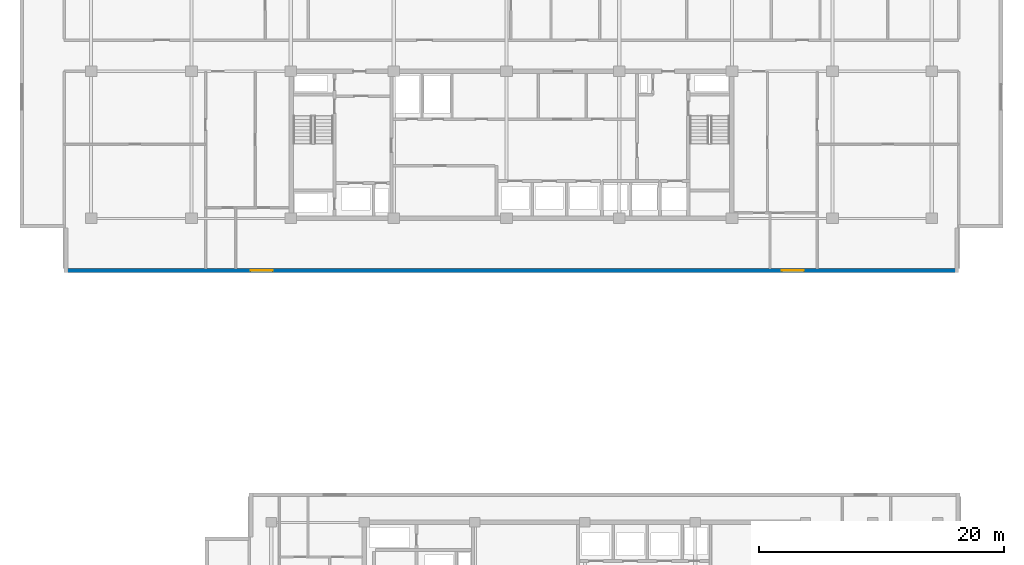
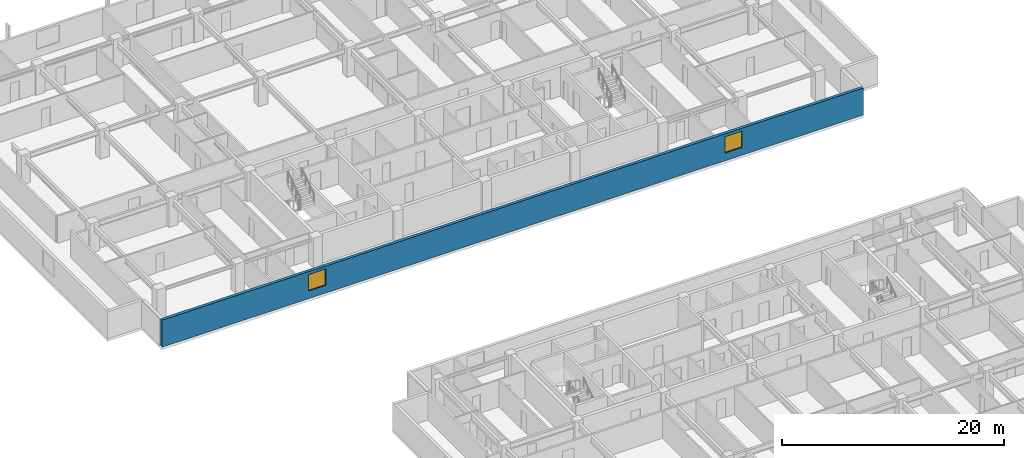
# One storey, part 8 of 21: 2 windows, 1 wall, 2 openings.
"""IFC4 building model written with IfcOpenShell, lengths in metres."""

from ifc_helpers import new_model, si_unit, direction, frame, frame_2d, origin, place, context, subcontext, project, spatial, rectangle, extrude, material, layer, layer_set, type_object, element, fill, save


model = new_model("IFC4")

# Units and contexts
model_context = context("Model", 3, precision=1e-05, world=origin(), true_north=direction((0.0, 1.0)))
body_context = subcontext(model_context, "Body", "Model", "MODEL_VIEW")
ifc_project = project(units=[si_unit("LENGTHUNIT", "METRE"), si_unit("AREAUNIT", "SQUARE_METRE"), si_unit("VOLUMEUNIT", "CUBIC_METRE"), si_unit("PLANEANGLEUNIT", "RADIAN"), si_unit("MASSUNIT", "GRAM", prefix="KILO")], contexts=[model_context])

# Site, building, storey
site_placement = place(None, origin())
site = spatial("IfcSite", under=ifc_project, at=site_placement, CompositionType="ELEMENT")
building_placement = place(site_placement, origin())
building = spatial("IfcBuilding", under=site, at=building_placement, Name="Korimba Cascade Residences", CompositionType="ELEMENT")
storey_placement = place(building_placement, frame((0.0, 0.0, 116.550048828125)))
storey = spatial("IfcBuildingStorey", under=building, at=storey_placement, Name="L33", CompositionType="ELEMENT", Elevation=116.550048828125)

# Wall, openings, windows
ifc_material_1 = material(Name="Precast concrete C40/50", Category="concrete")
ifc_layer = layer(ifc_material_1, 0.300048828125)
ifc_layer_set = layer_set([ifc_layer], Name="Precast concrete C40/50")
wall_type = type_object("IfcWallType", Name="EW-STONE-300", PredefinedType="STANDARD", material=ifc_layer_set)
wall_placement = place(storey_placement, frame((57.60009765625, 50.949951171875, 0.0), z_axis=(0.0, 0.0, 1.0), x_axis=(1.0, 0.0, 0.0)))
wall = element("IfcWall", 1, at=wall_placement, inside=storey, type_object=wall_type, Name="L33 T1 Perimeter Stone Wall E00", PredefinedType="STANDARD", context=body_context, shape_type="SweptSolid", body=[
    extrude(rectangle(XDim=73.0, YDim=0.300048828125, at=frame_2d((36.5, 0.0))), origin(), (0.0, 0.0, 1.0), 2.969970703125),
])
opening_1_placement = place(wall_placement, frame((15.22509765625, 0.0, 0.85009765625)))
opening_1 = element("IfcOpeningElement", 2, at=opening_1_placement, cuts=wall, Name="Opening W-02", PredefinedType="OPENING", context=body_context, shape_type="SweptSolid", body=[
    extrude(rectangle(XDim=1.800048828125, YDim=1.800048828125, at=frame_2d((0.89990234375, 0.89990234375))), frame((0.0, 0.16015625, 0.0), z_axis=(0.0, -1.0, 0.0), x_axis=(1.0, 0.0, 0.0)), (0.0, 0.0, 1.0), 0.320068359375),
])
opening_2_placement = place(wall_placement, frame((58.574951171875, 0.0, 0.85009765625)))
opening_2 = element("IfcOpeningElement", 3, at=opening_2_placement, cuts=wall, Name="Opening W-02", PredefinedType="OPENING", context=body_context, shape_type="SweptSolid", body=[
    extrude(rectangle(XDim=1.800048828125, YDim=1.800048828125, at=frame_2d((0.89990234375, 0.89990234375))), frame((0.0, 0.16015625, 0.0), z_axis=(0.0, -1.0, 0.0), x_axis=(1.0, 0.0, 0.0)), (0.0, 0.0, 1.0), 0.320068359375),
])
ifc_material_2 = material(Name="Double-Glazed Aluminium Window", Category="aluminium")
window_type = type_object("IfcWindowType", Name="WIN-BED-1800", PartitioningType="SINGLE_PANEL", PredefinedType="WINDOW", material=ifc_material_2)
window_1_placement = place(opening_1_placement, origin())
window_1 = element("IfcWindow", 4, at=window_1_placement, inside=storey, type_object=window_type, Name="L33 T1 South Corner Bedroom Window 1", OverallHeight=1.800048828125, OverallWidth=1.800048828125, PartitioningType="SINGLE_PANEL", PredefinedType="WINDOW", context=body_context, shape_type="SweptSolid", body=[
    extrude(rectangle(XDim=1.800048828125, YDim=1.800048828125, at=frame_2d((0.89990234375, 0.89990234375))), frame((0.0, 0.030029296875, 0.0), z_axis=(0.0, -1.0, 0.0), x_axis=(1.0, 0.0, 0.0)), (0.0, 0.0, 1.0), 0.06005859375),
])
fill(opening_1, window_1)
window_2_placement = place(opening_2_placement, origin())
window_2 = element("IfcWindow", 5, at=window_2_placement, inside=storey, type_object=window_type, Name="L33 T1 South Corner Bedroom Window 2", OverallHeight=1.800048828125, OverallWidth=1.800048828125, PartitioningType="SINGLE_PANEL", PredefinedType="WINDOW", context=body_context, shape_type="SweptSolid", body=[
    extrude(rectangle(XDim=1.800048828125, YDim=1.800048828125, at=frame_2d((0.89990234375, 0.89990234375))), frame((0.0, 0.030029296875, 0.0), z_axis=(0.0, -1.0, 0.0), x_axis=(1.0, 0.0, 0.0)), (0.0, 0.0, 1.0), 0.06005859375),
])
fill(opening_2, window_2)

save(model, "model.ifc")
